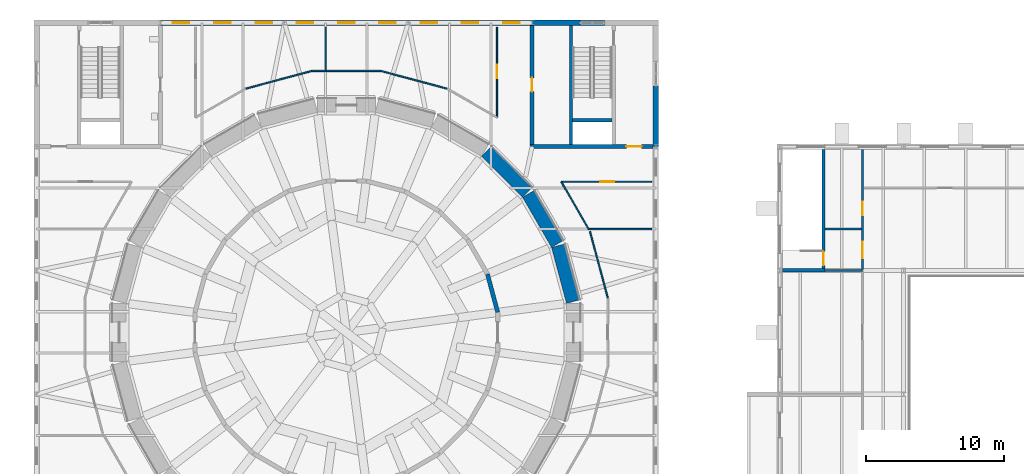
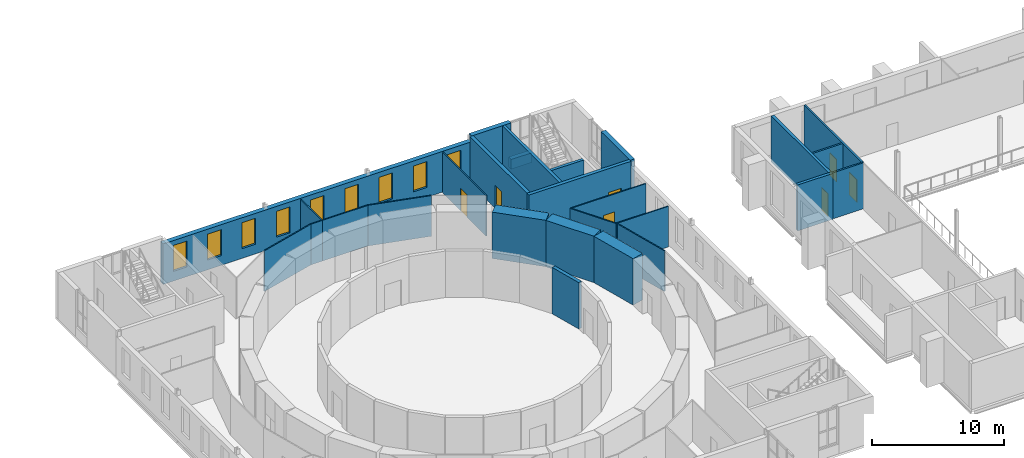
# One storey, part 88 of 131: 27 walls, 9 windows, 7 doors, 16 openings.
"""IFC4 building model written with IfcOpenShell, lengths in metres."""

from ifc_helpers import new_model, si_unit, direction, frame, frame_2d, origin, place, context, subcontext, project, spatial, rectangle, extrude, material, layer, layer_set, type_object, element, fill, save


model = new_model("IFC4")

# Units and contexts
model_context = context("Model", 3, precision=1e-05, world=origin(), true_north=direction((0.0, 1.0)))
body_context = subcontext(model_context, "Body", "Model", "MODEL_VIEW")
ifc_project = project(units=[si_unit("LENGTHUNIT", "METRE"), si_unit("AREAUNIT", "SQUARE_METRE"), si_unit("VOLUMEUNIT", "CUBIC_METRE"), si_unit("PLANEANGLEUNIT", "RADIAN"), si_unit("MASSUNIT", "GRAM", prefix="KILO")], contexts=[model_context])

# Site, building, storey
site_placement = place(None, origin())
site = spatial("IfcSite", under=ifc_project, at=site_placement, CompositionType="ELEMENT")
building_placement = place(site_placement, origin())
building = spatial("IfcBuilding", under=site, at=building_placement, Name="Golden Quay Civic Hall", CompositionType="ELEMENT")
storey_placement = place(building_placement, frame((0.0, 0.0, 9.89990234375)))
storey = spatial("IfcBuildingStorey", under=building, at=storey_placement, Name="L02", CompositionType="ELEMENT", Elevation=9.89990234375)

# Wall, opening, door
ifc_material_1 = material(Name="Concrete C40/50", Category="concrete")
ifc_layer_1 = layer(ifc_material_1, 0.25)
ifc_layer_set_1 = layer_set([ifc_layer_1], Name="Concrete core wall 250, Concrete C40/50")
wall_type_1 = type_object("IfcWallType", Name="Concrete core wall 250", PredefinedType="SHEAR", material=ifc_layer_set_1)
wall_1_placement = place(storey_placement, frame((120.175048828125, 90.125, 0.0), z_axis=(0.0, 0.0, 1.0), x_axis=(0.0, 1.0, 0.0)))
wall_1 = element("IfcWall", 1, at=wall_1_placement, inside=storey, type_object=wall_type_1, Name="L02 core wall N stair east", PredefinedType="SHEAR", context=body_context, shape_type="SweptSolid", body=[
    extrude(rectangle(XDim=8.675048828125, YDim=0.25, at=frame_2d((4.33740234375, 0.0))), origin(), (0.0, 0.0, 1.0), 4.25),
])
opening_1_placement = place(wall_1_placement, frame((0.25, 0.0, 0.0)))
opening_1 = element("IfcOpeningElement", 2, at=opening_1_placement, cuts=wall_1, Name="Opening L02-D214", PredefinedType="OPENING", context=body_context, shape_type="SweptSolid", body=[
    extrude(rectangle(XDim=1.0, YDim=2.10009765625, at=frame_2d((0.5, 1.050048828125))), frame((0.0, 0.135009765625, 0.0), z_axis=(0.0, -1.0, 0.0), x_axis=(1.0, 0.0, 0.0)), (0.0, 0.0, 1.0), 0.27001953125),
])
ifc_material_2 = material(Name="Steel", Category="steel")
door_type_1 = type_object("IfcDoorType", Name="Steel fire door FD60 1000 x 2100", OperationType="SINGLE_SWING_LEFT", PredefinedType="DOOR", material=ifc_material_2)
door_1_placement = place(opening_1_placement, frame((1.0, 0.0, 0.0), z_axis=(0.0, 0.0, 1.0), x_axis=(-1.0, 0.0, 0.0)))
door_1 = element("IfcDoor", 3, at=door_1_placement, inside=storey, type_object=door_type_1, Name="Stair door LB-N", OperationType="SINGLE_SWING_RIGHT", OverallHeight=2.10009765625, OverallWidth=1.0, PredefinedType="DOOR", context=body_context, shape_type="SweptSolid", body=[
    extrude(rectangle(XDim=1.0, YDim=2.10009765625, at=frame_2d((0.5, 1.050048828125))), frame((0.0, 0.025146484375, 0.0), z_axis=(0.0, -1.0, 0.0), x_axis=(1.0, 0.0, 0.0)), (0.0, 0.0, 1.0), 0.050048828125),
])
fill(opening_1, door_1)

# Walls
wall_2_placement = place(storey_placement, frame((117.199951171875, 90.0, 0.0), z_axis=(0.0, 0.0, 1.0), x_axis=(1.0, 0.0, 0.0)))
element("IfcWall", 4, at=wall_2_placement, inside=storey, type_object=wall_type_1, Name="L02 core wall N stair south", PredefinedType="SHEAR", context=body_context, shape_type="SweptSolid", body=[
    extrude(rectangle(XDim=3.10009765625, YDim=0.25, at=frame_2d((1.550048828125, 0.0))), origin(), (0.0, 0.0, 1.0), 4.25),
])
ifc_material_3 = material(Name="Plasterboard on steel studs", Category="steel")
ifc_layer_2 = layer(ifc_material_3, 0.10009765625)
ifc_layer_set_2 = layer_set([ifc_layer_2], Name="Partition 100 stud")
wall_type_2 = type_object("IfcWallType", Name="Partition 100 stud", PredefinedType="PARTITIONING", material=ifc_layer_set_2)
wall_3_placement = place(storey_placement, frame((84.0, 104.5, 0.0), z_axis=(0.0, 0.0, 1.0), x_axis=(0.0, 1.0, 0.0)))
element("IfcWall", 5, at=wall_3_placement, inside=storey, type_object=wall_type_2, Name="Partition 19", PredefinedType="PARTITIONING", context=body_context, shape_type="SweptSolid", body=[
    extrude(rectangle(XDim=3.179931640625, YDim=0.10009765625, at=frame_2d((1.58984375, 0.0))), origin(), (0.0, 0.0, 1.0), 3.760009765625),
])
wall_4_placement = place(storey_placement, frame((107.679931640625, 93.0, 0.0), z_axis=(0.0, 0.0, 1.0), x_axis=(-1.0, 0.0, 0.0)))
element("IfcWall", 6, at=wall_4_placement, inside=storey, type_object=wall_type_2, Name="Partition 31", PredefinedType="PARTITIONING", context=body_context, shape_type="SweptSolid", body=[
    extrude(rectangle(XDim=4.57080078125, YDim=0.10009765625, at=frame_2d((2.285400390625, 0.0))), origin(), (0.0, 0.0, 1.0), 3.760009765625),
])
ifc_material_4 = material(Name="Gypsum board on steel stud", Category="steel")
ifc_layer_3 = layer(ifc_material_4, 0.10009765625)
ifc_layer_set_3 = layer_set([ifc_layer_3], Name="Partition 100 stud fire EI 60")
wall_type_3 = type_object("IfcWallType", Name="Partition 100 stud fire EI 60", PredefinedType="PARTITIONING", material=ifc_layer_set_3)
wall_5_placement = place(storey_placement, frame((78.166259765625, 103.205078125, 0.0), z_axis=(0.0, 0.0, 1.0), x_axis=(0.965919949972, 0.258840974822, 0.0)))
element("IfcWall", 7, at=wall_5_placement, inside=storey, type_object=wall_type_3, Name="Partition 22", PredefinedType="PARTITIONING", context=body_context, shape_type="SweptSolid", body=[
    extrude(rectangle(XDim=5.002685546875, YDim=0.10009765625, at=frame_2d((2.50146484375, 0.0))), origin(), (0.0, 0.0, 1.0), 3.760009765625),
])
wall_6_placement = place(storey_placement, frame((82.99853515625, 104.5, 0.0), z_axis=(0.0, 0.0, 1.0), x_axis=(1.0, 0.0, 0.0)))
element("IfcWall", 8, at=wall_6_placement, inside=storey, type_object=wall_type_3, Name="Partition 23", PredefinedType="PARTITIONING", context=body_context, shape_type="SweptSolid", body=[
    extrude(rectangle(XDim=1.021484375, YDim=0.10009765625, at=frame_2d((0.5107421875, 0.0))), origin(), (0.0, 0.0, 1.0), 3.760009765625),
])
wall_7_placement = place(storey_placement, frame((83.97998046875, 104.5, 0.0), z_axis=(0.0, 0.0, 1.0), x_axis=(1.0, 0.0, 0.0)))
element("IfcWall", 9, at=wall_7_placement, inside=storey, type_object=wall_type_3, Name="Partition 24", PredefinedType="PARTITIONING", context=body_context, shape_type="SweptSolid", body=[
    extrude(rectangle(XDim=4.021484375, YDim=0.10009765625, at=frame_2d((2.0107421875, 0.0))), origin(), (0.0, 0.0, 1.0), 3.760009765625),
])
wall_8_placement = place(storey_placement, frame((88.00146484375, 104.5, 0.0), z_axis=(0.0, 0.0, 1.0), x_axis=(0.965919949972, -0.258840974822, 0.0)))
element("IfcWall", 10, at=wall_8_placement, inside=storey, type_object=wall_type_3, Name="Partition 25", PredefinedType="PARTITIONING", context=body_context, shape_type="SweptSolid", body=[
    extrude(rectangle(XDim=5.002685546875, YDim=0.10009765625, at=frame_2d((2.50146484375, 0.0))), origin(), (0.0, 0.0, 1.0), 3.760009765625),
])

# Wall, opening, door
wall_9_placement = place(storey_placement, frame((96.449951171875, 101.1171875, 0.0), z_axis=(0.0, 0.0, 1.0), x_axis=(0.0, 1.0, 0.0)))
wall_9 = element("IfcWall", 11, at=wall_9_placement, inside=storey, type_object=wall_type_3, Name="Partition 27", PredefinedType="PARTITIONING", context=body_context, shape_type="SweptSolid", body=[
    extrude(rectangle(XDim=6.562744140625, YDim=0.10009765625, at=frame_2d((3.28125, 0.0))), origin(), (0.0, 0.0, 1.0), 3.760009765625),
])
opening_2_placement = place(wall_9_placement, frame((2.84130859375, 0.0, 0.0)))
opening_2 = element("IfcOpeningElement", 12, at=opening_2_placement, cuts=wall_9, Name="Opening L02-D188", PredefinedType="OPENING", context=body_context, shape_type="SweptSolid", body=[
    extrude(rectangle(XDim=1.0, YDim=2.10009765625, at=frame_2d((0.5, 1.050048828125))), frame((0.0, 0.06005859375, 0.0), z_axis=(0.0, -1.0, 0.0), x_axis=(1.0, 0.0, 0.0)), (0.0, 0.0, 1.0), 0.1201171875),
])
ifc_material_5 = material(Name="Timber", Category="wood")
door_type_2 = type_object("IfcDoorType", Name="Timber fire door FD30S 1000 x 2100", OperationType="SINGLE_SWING_LEFT", PredefinedType="DOOR", material=ifc_material_5)
door_2_placement = place(opening_2_placement, origin())
door_2 = element("IfcDoor", 13, at=door_2_placement, inside=storey, type_object=door_type_2, Name="Door Chamber Committee Room 3", OperationType="SINGLE_SWING_LEFT", OverallHeight=2.10009765625, OverallWidth=1.0, PredefinedType="DOOR", context=body_context, shape_type="SweptSolid", body=[
    extrude(rectangle(XDim=1.0, YDim=2.10009765625, at=frame_2d((0.5, 1.050048828125))), frame((0.0, 0.02490234375, 0.0), z_axis=(0.0, -1.0, 0.0), x_axis=(1.0, 0.0, 0.0)), (0.0, 0.0, 1.0), 0.050048828125),
])
fill(opening_2, door_2)

# Wall
wall_10_placement = place(storey_placement, frame((103.205078125, 92.833740234375, 0.0), z_axis=(0.0, 0.0, 1.0), x_axis=(0.258840974822, -0.965919949972, 0.0)))
element("IfcWall", 14, at=wall_10_placement, inside=storey, type_object=wall_type_3, Name="Partition 32", PredefinedType="PARTITIONING", context=body_context, shape_type="SweptSolid", body=[
    extrude(rectangle(XDim=5.002685546875, YDim=0.10009765625, at=frame_2d((2.50146484375, 0.0))), origin(), (0.0, 0.0, 1.0), 3.760009765625),
])

# Wall, opening, door
wall_11_placement = place(storey_placement, frame((107.679931640625, 96.449951171875, 0.0), z_axis=(0.0, 0.0, 1.0), x_axis=(-1.0, 0.0, 0.0)))
wall_11 = element("IfcWall", 15, at=wall_11_placement, inside=storey, type_object=wall_type_3, Name="Partition 35", PredefinedType="PARTITIONING", context=body_context, shape_type="SweptSolid", body=[
    extrude(rectangle(XDim=6.562744140625, YDim=0.10009765625, at=frame_2d((3.28125, 0.0))), origin(), (0.0, 0.0, 1.0), 3.760009765625),
])
opening_3_placement = place(wall_11_placement, frame((2.72119140625, 0.0, 0.0)))
opening_3 = element("IfcOpeningElement", 16, at=opening_3_placement, cuts=wall_11, Name="Opening L02-D191", PredefinedType="OPENING", context=body_context, shape_type="SweptSolid", body=[
    extrude(rectangle(XDim=1.0, YDim=2.10009765625, at=frame_2d((0.5, 1.050048828125))), frame((0.0, 0.06005859375, 0.0), z_axis=(0.0, -1.0, 0.0), x_axis=(1.0, 0.0, 0.0)), (0.0, 0.0, 1.0), 0.1201171875),
])
door_3_placement = place(opening_3_placement, origin())
door_3 = element("IfcDoor", 17, at=door_3_placement, inside=storey, type_object=door_type_2, Name="Door Chamber Clerks' Office 6", OperationType="SINGLE_SWING_LEFT", OverallHeight=2.10009765625, OverallWidth=1.0, PredefinedType="DOOR", context=body_context, shape_type="SweptSolid", body=[
    extrude(rectangle(XDim=1.0, YDim=2.10009765625, at=frame_2d((0.5, 1.050048828125))), frame((0.0, 0.02490234375, 0.0), z_axis=(0.0, -1.0, 0.0), x_axis=(1.0, 0.0, 0.0)), (0.0, 0.0, 1.0), 0.050048828125),
])
fill(opening_3, door_3)

# Walls
wall_12_placement = place(storey_placement, frame((101.1171875, 96.449951171875, 0.0), z_axis=(0.0, 0.0, 1.0), x_axis=(0.500005512359, -0.866022221199, 0.0)))
element("IfcWall", 18, at=wall_12_placement, inside=storey, type_object=wall_type_3, Name="Partition 36", PredefinedType="PARTITIONING", context=body_context, shape_type="SweptSolid", body=[
    extrude(rectangle(XDim=4.0068359375, YDim=0.10009765625, at=frame_2d((2.00341796875, 0.0))), origin(), (0.0, 0.0, 1.0), 3.760009765625),
])
ifc_material_6 = material(Name="Plasterboard on steel studs", Category="steel")
ifc_layer_4 = layer(ifc_material_6, 0.14990234375)
ifc_layer_set_4 = layer_set([ifc_layer_4], Name="Partition 150 stud fire EI 60")
wall_type_4 = type_object("IfcWallType", Name="Partition 150 stud fire EI 60", PredefinedType="PARTITIONING", material=ifc_layer_set_4)
wall_13_placement = place(storey_placement, frame((120.300048828125, 90.0, 0.0), z_axis=(0.0, 0.0, 1.0), x_axis=(1.0, 0.0, 0.0)))
element("IfcWall", 19, at=wall_13_placement, inside=storey, type_object=wall_type_4, Name="L02 partition H27-3.30", PredefinedType="PARTITIONING", context=body_context, shape_type="SweptSolid", body=[
    extrude(rectangle(XDim=2.699951171875, YDim=0.14990234375, at=frame_2d((1.35009765625, 0.0))), origin(), (0.0, 0.0, 1.0), 4.25),
])
wall_14_placement = place(storey_placement, frame((120.300048828125, 93.0, 0.0), z_axis=(0.0, 0.0, 1.0), x_axis=(1.0, 0.0, 0.0)))
element("IfcWall", 20, at=wall_14_placement, inside=storey, type_object=wall_type_4, Name="L02 partition H30-3.30", PredefinedType="PARTITIONING", context=body_context, shape_type="SweptSolid", body=[
    extrude(rectangle(XDim=2.625, YDim=0.14990234375, at=frame_2d((1.3125, 0.0))), origin(), (0.0, 0.0, 1.0), 4.25),
])

# Wall, openings, doors
wall_15_placement = place(storey_placement, frame((123.0, 90.074951171875, 0.0), z_axis=(0.0, 0.0, 1.0), x_axis=(0.0, 1.0, 0.0)))
wall_15 = element("IfcWall", 21, at=wall_15_placement, inside=storey, type_object=wall_type_4, Name="L02 partition V6-27.07", PredefinedType="PARTITIONING", context=body_context, shape_type="SweptSolid", body=[
    extrude(rectangle(XDim=8.72509765625, YDim=0.14990234375, at=frame_2d((4.362548828125, 0.0))), origin(), (0.0, 0.0, 1.0), 4.25),
])
opening_4_placement = place(wall_15_placement, frame((0.824951171875, 0.0, 0.0)))
opening_4 = element("IfcOpeningElement", 22, at=opening_4_placement, cuts=wall_15, Name="Opening L02-D199", PredefinedType="OPENING", context=body_context, shape_type="SweptSolid", body=[
    extrude(rectangle(XDim=1.199951171875, YDim=2.10009765625, at=frame_2d((0.60009765625, 1.050048828125))), frame((0.0, 0.0849609375, 0.0), z_axis=(0.0, -1.0, 0.0), x_axis=(1.0, 0.0, 0.0)), (0.0, 0.0, 1.0), 0.169921875),
])
opening_5_placement = place(wall_15_placement, frame((3.925048828125, 0.0, 0.0)))
opening_5 = element("IfcOpeningElement", 23, at=opening_5_placement, cuts=wall_15, Name="Opening L02-D200", PredefinedType="OPENING", context=body_context, shape_type="SweptSolid", body=[
    extrude(rectangle(XDim=1.0, YDim=2.10009765625, at=frame_2d((0.5, 1.050048828125))), frame((0.0, 0.0849609375, 0.0), z_axis=(0.0, -1.0, 0.0), x_axis=(1.0, 0.0, 0.0)), (0.0, 0.0, 1.0), 0.169921875),
])
ifc_material_7 = material(Name="Timber", Category="wood")
door_type_3 = type_object("IfcDoorType", Name="Timber fire door FD60 1000 x 2100", OperationType="SINGLE_SWING_LEFT", PredefinedType="DOOR", material=ifc_material_7)
door_4_placement = place(opening_5_placement, origin())
door_4 = element("IfcDoor", 24, at=door_4_placement, inside=storey, type_object=door_type_3, Name="Archive and Stacks door", OperationType="SINGLE_SWING_LEFT", OverallHeight=2.10009765625, OverallWidth=1.0, PredefinedType="DOOR", context=body_context, shape_type="SweptSolid", body=[
    extrude(rectangle(XDim=1.0, YDim=2.10009765625, at=frame_2d((0.5, 1.050048828125))), frame((0.0, 0.02490234375, 0.0), z_axis=(0.0, -1.0, 0.0), x_axis=(1.0, 0.0, 0.0)), (0.0, 0.0, 1.0), 0.050048828125),
])
fill(opening_5, door_4)
ifc_material_8 = material(Name="Timber", Category="wood")
door_type_4 = type_object("IfcDoorType", Name="Timber fire door FD60 1200 x 2100", OperationType="SINGLE_SWING_LEFT", PredefinedType="DOOR", material=ifc_material_8)
door_5_placement = place(opening_4_placement, frame((1.199951171875, 0.0, 0.0), z_axis=(0.0, 0.0, 1.0), x_axis=(-1.0, 0.0, 0.0)))
door_5 = element("IfcDoor", 25, at=door_5_placement, inside=storey, type_object=door_type_4, Name="Stair Lobby door", OperationType="SINGLE_SWING_RIGHT", OverallHeight=2.10009765625, OverallWidth=1.199951171875, PredefinedType="DOOR", context=body_context, shape_type="SweptSolid", body=[
    extrude(rectangle(XDim=1.199951171875, YDim=2.10009765625, at=frame_2d((0.599853515625, 1.050048828125))), frame((0.0, 0.025146484375, 0.0), z_axis=(0.0, -1.0, 0.0), x_axis=(1.0, 0.0, 0.0)), (0.0, 0.0, 1.0), 0.050048828125),
])
fill(opening_4, door_5)

# Wall
ifc_material_9 = material(Name="Concrete C40/50", Category="concrete")
ifc_layer_5 = layer(ifc_material_9, 0.300048828125)
ifc_layer_set_5 = layer_set([ifc_layer_5], Name="Reinforced concrete chamber wall 300, Concrete C40/50")
wall_type_5 = type_object("IfcWallType", Name="Reinforced concrete chamber wall 300", PredefinedType="SHEAR", material=ifc_layer_set_5)
wall_16_placement = place(storey_placement, frame((96.494873046875, 86.96728515625, 0.0), z_axis=(0.0, 0.0, 1.0), x_axis=(-0.258768834483, 0.965939278785, 0.0)))
element("IfcWall", 26, at=wall_16_placement, inside=storey, type_object=wall_type_5, Name="Chamber wall 1", PredefinedType="SHEAR", context=body_context, shape_type="SweptSolid", body=[
    extrude(rectangle(XDim=2.85693359375, YDim=0.300048828125, at=frame_2d((1.428466796875, 0.0))), origin(), (0.0, 0.0, 1.0), 4.300048828125),
])

# Wall, opening, door
ifc_material_10 = material(Name="Concrete C40/50", Category="concrete")
ifc_layer_6 = layer(ifc_material_10, 0.300048828125)
ifc_layer_set_6 = layer_set([ifc_layer_6], Name="Reinforced concrete core wall 300, Concrete C40/50")
wall_type_6 = type_object("IfcWallType", Name="Reinforced concrete core wall 300", PredefinedType="SHEAR", material=ifc_layer_set_6)
wall_17_placement = place(storey_placement, frame((107.800048828125, 99.0, 0.0), z_axis=(0.0, 0.0, 1.0), x_axis=(-1.0, 0.0, 0.0)))
wall_17 = element("IfcWall", 27, at=wall_17_placement, inside=storey, type_object=wall_type_6, Name="Core wall NE A", PredefinedType="SHEAR", context=body_context, shape_type="SweptSolid", body=[
    extrude(rectangle(XDim=8.949951171875, YDim=0.300048828125, at=frame_2d((4.47509765625, 0.0))), origin(), (0.0, 0.0, 1.0), 4.300048828125),
])
opening_6_placement = place(wall_17_placement, frame((0.85009765625, 0.0, 0.0)))
opening_6 = element("IfcOpeningElement", 28, at=opening_6_placement, cuts=wall_17, Name="Opening L02-D175", PredefinedType="OPENING", context=body_context, shape_type="SweptSolid", body=[
    extrude(rectangle(XDim=1.10009765625, YDim=2.10009765625, at=frame_2d((0.550048828125, 1.050048828125))), frame((0.0, 0.159912109375, 0.0), z_axis=(0.0, -1.0, 0.0), x_axis=(1.0, 0.0, 0.0)), (0.0, 0.0, 1.0), 0.320068359375),
])
ifc_material_11 = material(Name="Steel", Category="steel")
door_type_5 = type_object("IfcDoorType", Name="Steel fire door FD60 1100 x 2100", OperationType="SINGLE_SWING_LEFT", PredefinedType="DOOR", material=ifc_material_11)
door_6_placement = place(opening_6_placement, origin())
door_6 = element("IfcDoor", 29, at=door_6_placement, inside=storey, type_object=door_type_5, Name="Core lobby door NE", OperationType="SINGLE_SWING_LEFT", OverallHeight=2.10009765625, OverallWidth=1.10009765625, PredefinedType="DOOR", context=body_context, shape_type="SweptSolid", body=[
    extrude(rectangle(XDim=1.10009765625, YDim=2.10009765625, at=frame_2d((0.550048828125, 1.050048828125))), frame((0.0, 0.02490234375, 0.0), z_axis=(0.0, -1.0, 0.0), x_axis=(1.0, 0.0, 0.0)), (0.0, 0.0, 1.0), 0.050048828125),
])
fill(opening_6, door_6)

wall_18_placement = place(storey_placement, frame((99.0, 107.800048828125, 0.0), z_axis=(0.0, 0.0, 1.0), x_axis=(0.0, -1.0, 0.0)))
wall_18 = element("IfcWall", 30, at=wall_18_placement, inside=storey, type_object=wall_type_6, Name="Core wall NE B", PredefinedType="SHEAR", context=body_context, shape_type="SweptSolid", body=[
    extrude(rectangle(XDim=8.650146484375, YDim=0.300048828125, at=frame_2d((4.3251953125, 0.0))), origin(), (0.0, 0.0, 1.0), 4.300048828125),
])
opening_7_placement = place(wall_18_placement, frame((3.800048828125, 0.0, 0.0)))
opening_7 = element("IfcOpeningElement", 31, at=opening_7_placement, cuts=wall_18, Name="Opening L02-D176", PredefinedType="OPENING", context=body_context, shape_type="SweptSolid", body=[
    extrude(rectangle(XDim=1.0, YDim=2.10009765625, at=frame_2d((0.5, 1.050048828125))), frame((0.0, 0.159912109375, 0.0), z_axis=(0.0, -1.0, 0.0), x_axis=(1.0, 0.0, 0.0)), (0.0, 0.0, 1.0), 0.320068359375),
])
door_7_placement = place(opening_7_placement, origin())
door_7 = element("IfcDoor", 32, at=door_7_placement, inside=storey, type_object=door_type_1, Name="Service door NE", OperationType="SINGLE_SWING_LEFT", OverallHeight=2.10009765625, OverallWidth=1.0, PredefinedType="DOOR", context=body_context, shape_type="SweptSolid", body=[
    extrude(rectangle(XDim=1.0, YDim=2.10009765625, at=frame_2d((0.5, 1.050048828125))), frame((0.0, 0.02490234375, 0.0), z_axis=(0.0, -1.0, 0.0), x_axis=(1.0, 0.0, 0.0)), (0.0, 0.0, 1.0), 0.050048828125),
])
fill(opening_7, door_7)

# Walls
ifc_material_12 = material(Name="Concrete C40/50", Category="concrete")
ifc_layer_7 = layer(ifc_material_12, 1.0)
ifc_layer_set_7 = layer_set([ifc_layer_7], Name="Reinforced concrete drum wall 1000, Concrete C40/50")
wall_type_7 = type_object("IfcWallType", Name="Reinforced concrete drum wall 1000", PredefinedType="SHEAR", material=ifc_layer_set_7)
for number, where, z_axis, x_axis, name in (
    (33, (101.98291015625, 87.73583984375, 0.0), (0.0, 0.0, 1.0), (-0.258809467323, 0.965928392597, 0.0), "Council drum wall 1"),
    (34, (100.842529296875, 91.92578125, 0.0), (0.0, 0.0, 1.0), (-0.500003371769, 0.866023457084, 0.0), "Council drum wall 2"),
    (35, (98.65673828125, 95.677734375, 0.0), (0.0, 0.0, 1.0), (-0.707106781187, 0.707106781187, 0.0), "Council drum wall 3"),
):
    element("IfcWall", number, at=place(storey_placement, frame(where, z_axis=z_axis, x_axis=x_axis)), inside=storey, type_object=wall_type_7, Name=name, PredefinedType="SHEAR", context=body_context, shape_type="SweptSolid", body=[
        extrude(rectangle(XDim=4.212890625, YDim=1.0, at=frame_2d((2.1064453125, 0.0))), origin(), (0.0, 0.0, 1.0), 4.300048828125),
    ])
ifc_material_13 = material(Name="Concrete C40/50", Category="concrete")
ifc_layer_8 = layer(ifc_material_13, 0.25)
ifc_layer_set_8 = layer_set([ifc_layer_8], Name="Reinforced concrete shaft wall 250, Concrete C40/50")
wall_type_8 = type_object("IfcWallType", Name="Reinforced concrete shaft wall 250", PredefinedType="SHEAR", material=ifc_layer_set_8)
wall_19_placement = place(storey_placement, frame((101.824951171875, 107.800048828125, 0.0), z_axis=(0.0, 0.0, 1.0), x_axis=(0.0, -1.0, 0.0)))
element("IfcWall", 36, at=wall_19_placement, inside=storey, type_object=wall_type_8, Name="Shaft wall NE 2", PredefinedType="SHEAR", context=body_context, shape_type="SweptSolid", body=[
    extrude(rectangle(XDim=8.650146484375, YDim=0.25, at=frame_2d((4.3251953125, 0.0))), origin(), (0.0, 0.0, 1.0), 4.300048828125),
])
wall_20_placement = place(storey_placement, frame((104.800048828125, 100.925048828125, 0.0), z_axis=(0.0, 0.0, 1.0), x_axis=(-1.0, 0.0, 0.0)))
element("IfcWall", 37, at=wall_20_placement, inside=storey, type_object=wall_type_8, Name="Shaft wall NE 3", PredefinedType="SHEAR", context=body_context, shape_type="SweptSolid", body=[
    extrude(rectangle(XDim=2.85009765625, YDim=0.25, at=frame_2d((1.425048828125, 0.0))), origin(), (0.0, 0.0, 1.0), 4.300048828125),
])

# Wall, openings, windows
ifc_material_14 = material(Name="Brick masonry with render", Category="masonry")
ifc_layer_9 = layer(ifc_material_14, 0.39990234375)
ifc_layer_set_9 = layer_set([ifc_layer_9], Name="Rendered brick external wall 400")
wall_type_9 = type_object("IfcWallType", Name="Rendered brick external wall 400", PredefinedType="STANDARD", material=ifc_layer_set_9)
wall_21_placement = place(storey_placement, frame((72.0, 108.0, 0.0), z_axis=(0.0, 0.0, 1.0), x_axis=(1.0, 0.0, 0.0)))
wall_21 = element("IfcWall", 38, at=wall_21_placement, inside=storey, type_object=wall_type_9, Name="Base wall N 72", PredefinedType="STANDARD", context=body_context, shape_type="SweptSolid", body=[
    extrude(rectangle(XDim=27.0, YDim=0.39990234375, at=frame_2d((13.5, 0.0))), origin(), (0.0, 0.0, 1.0), 3.760009765625),
])
opening_8_placement = place(wall_21_placement, frame((0.89990234375, 0.0, 0.89990234375)))
opening_8 = element("IfcOpeningElement", 39, at=opening_8_placement, cuts=wall_21, Name="Opening WN7", PredefinedType="OPENING", context=body_context, shape_type="SweptSolid", body=[
    extrude(rectangle(XDim=1.199951171875, YDim=2.39990234375, at=frame_2d((0.60009765625, 1.199951171875))), frame((0.0, 0.2099609375, 0.0), z_axis=(0.0, -1.0, 0.0), x_axis=(1.0, 0.0, 0.0)), (0.0, 0.0, 1.0), 0.419921875),
])
opening_9_placement = place(wall_21_placement, frame((3.89990234375, 0.0, 0.89990234375)))
opening_9 = element("IfcOpeningElement", 40, at=opening_9_placement, cuts=wall_21, Name="Opening WN7", PredefinedType="OPENING", context=body_context, shape_type="SweptSolid", body=[
    extrude(rectangle(XDim=1.199951171875, YDim=2.39990234375, at=frame_2d((0.60009765625, 1.199951171875))), frame((0.0, 0.2099609375, 0.0), z_axis=(0.0, -1.0, 0.0), x_axis=(1.0, 0.0, 0.0)), (0.0, 0.0, 1.0), 0.419921875),
])
opening_10_placement = place(wall_21_placement, frame((6.89990234375, 0.0, 0.89990234375)))
opening_10 = element("IfcOpeningElement", 41, at=opening_10_placement, cuts=wall_21, Name="Opening WN7", PredefinedType="OPENING", context=body_context, shape_type="SweptSolid", body=[
    extrude(rectangle(XDim=1.199951171875, YDim=2.39990234375, at=frame_2d((0.60009765625, 1.199951171875))), frame((0.0, 0.2099609375, 0.0), z_axis=(0.0, -1.0, 0.0), x_axis=(1.0, 0.0, 0.0)), (0.0, 0.0, 1.0), 0.419921875),
])
opening_11_placement = place(wall_21_placement, frame((9.89990234375, 0.0, 0.89990234375)))
opening_11 = element("IfcOpeningElement", 42, at=opening_11_placement, cuts=wall_21, Name="Opening WN7", PredefinedType="OPENING", context=body_context, shape_type="SweptSolid", body=[
    extrude(rectangle(XDim=1.199951171875, YDim=2.39990234375, at=frame_2d((0.60009765625, 1.199951171875))), frame((0.0, 0.2099609375, 0.0), z_axis=(0.0, -1.0, 0.0), x_axis=(1.0, 0.0, 0.0)), (0.0, 0.0, 1.0), 0.419921875),
])
opening_12_placement = place(wall_21_placement, frame((12.89990234375, 0.0, 0.89990234375)))
opening_12 = element("IfcOpeningElement", 43, at=opening_12_placement, cuts=wall_21, Name="Opening WN7", PredefinedType="OPENING", context=body_context, shape_type="SweptSolid", body=[
    extrude(rectangle(XDim=1.199951171875, YDim=2.39990234375, at=frame_2d((0.60009765625, 1.199951171875))), frame((0.0, 0.2099609375, 0.0), z_axis=(0.0, -1.0, 0.0), x_axis=(1.0, 0.0, 0.0)), (0.0, 0.0, 1.0), 0.419921875),
])
opening_13_placement = place(wall_21_placement, frame((15.89990234375, 0.0, 0.89990234375)))
opening_13 = element("IfcOpeningElement", 44, at=opening_13_placement, cuts=wall_21, Name="Opening WN7", PredefinedType="OPENING", context=body_context, shape_type="SweptSolid", body=[
    extrude(rectangle(XDim=1.199951171875, YDim=2.39990234375, at=frame_2d((0.60009765625, 1.199951171875))), frame((0.0, 0.2099609375, 0.0), z_axis=(0.0, -1.0, 0.0), x_axis=(1.0, 0.0, 0.0)), (0.0, 0.0, 1.0), 0.419921875),
])
opening_14_placement = place(wall_21_placement, frame((18.89990234375, 0.0, 0.89990234375)))
opening_14 = element("IfcOpeningElement", 45, at=opening_14_placement, cuts=wall_21, Name="Opening WN7", PredefinedType="OPENING", context=body_context, shape_type="SweptSolid", body=[
    extrude(rectangle(XDim=1.199951171875, YDim=2.39990234375, at=frame_2d((0.60009765625, 1.199951171875))), frame((0.0, 0.2099609375, 0.0), z_axis=(0.0, -1.0, 0.0), x_axis=(1.0, 0.0, 0.0)), (0.0, 0.0, 1.0), 0.419921875),
])
opening_15_placement = place(wall_21_placement, frame((21.89990234375, 0.0, 0.89990234375)))
opening_15 = element("IfcOpeningElement", 46, at=opening_15_placement, cuts=wall_21, Name="Opening WN7", PredefinedType="OPENING", context=body_context, shape_type="SweptSolid", body=[
    extrude(rectangle(XDim=1.199951171875, YDim=2.39990234375, at=frame_2d((0.60009765625, 1.199951171875))), frame((0.0, 0.2099609375, 0.0), z_axis=(0.0, -1.0, 0.0), x_axis=(1.0, 0.0, 0.0)), (0.0, 0.0, 1.0), 0.419921875),
])
opening_16_placement = place(wall_21_placement, frame((24.89990234375, 0.0, 0.89990234375)))
opening_16 = element("IfcOpeningElement", 47, at=opening_16_placement, cuts=wall_21, Name="Opening WN7", PredefinedType="OPENING", context=body_context, shape_type="SweptSolid", body=[
    extrude(rectangle(XDim=1.199951171875, YDim=2.39990234375, at=frame_2d((0.60009765625, 1.199951171875))), frame((0.0, 0.2099609375, 0.0), z_axis=(0.0, -1.0, 0.0), x_axis=(1.0, 0.0, 0.0)), (0.0, 0.0, 1.0), 0.419921875),
])
ifc_material_15 = material(Name="Aluminium frame, double glazed", Category="aluminium")
window_type = type_object("IfcWindowType", Name="Window 1200 x 2400", PartitioningType="SINGLE_PANEL", PredefinedType="WINDOW", material=ifc_material_15)
window_1_placement = place(opening_8_placement, origin())
window_1 = element("IfcWindow", 48, at=window_1_placement, inside=storey, type_object=window_type, Name="Window N1", OverallHeight=2.39990234375, OverallWidth=1.199951171875, PartitioningType="SINGLE_PANEL", PredefinedType="WINDOW", context=body_context, shape_type="SweptSolid", body=[
    extrude(rectangle(XDim=1.199951171875, YDim=2.39990234375, at=frame_2d((0.60009765625, 1.199951171875))), frame((0.0, 0.030029296875, 0.0), z_axis=(0.0, -1.0, 0.0), x_axis=(1.0, 0.0, 0.0)), (0.0, 0.0, 1.0), 0.06005859375),
])
fill(opening_8, window_1)
window_2_placement = place(opening_9_placement, origin())
window_2 = element("IfcWindow", 49, at=window_2_placement, inside=storey, type_object=window_type, Name="Window N2", OverallHeight=2.39990234375, OverallWidth=1.199951171875, PartitioningType="SINGLE_PANEL", PredefinedType="WINDOW", context=body_context, shape_type="SweptSolid", body=[
    extrude(rectangle(XDim=1.199951171875, YDim=2.39990234375, at=frame_2d((0.60009765625, 1.199951171875))), frame((0.0, 0.030029296875, 0.0), z_axis=(0.0, -1.0, 0.0), x_axis=(1.0, 0.0, 0.0)), (0.0, 0.0, 1.0), 0.06005859375),
])
fill(opening_9, window_2)
window_3_placement = place(opening_10_placement, origin())
window_3 = element("IfcWindow", 50, at=window_3_placement, inside=storey, type_object=window_type, Name="Window N3", OverallHeight=2.39990234375, OverallWidth=1.199951171875, PartitioningType="SINGLE_PANEL", PredefinedType="WINDOW", context=body_context, shape_type="SweptSolid", body=[
    extrude(rectangle(XDim=1.199951171875, YDim=2.39990234375, at=frame_2d((0.60009765625, 1.199951171875))), frame((0.0, 0.030029296875, 0.0), z_axis=(0.0, -1.0, 0.0), x_axis=(1.0, 0.0, 0.0)), (0.0, 0.0, 1.0), 0.06005859375),
])
fill(opening_10, window_3)
window_4_placement = place(opening_11_placement, origin())
window_4 = element("IfcWindow", 51, at=window_4_placement, inside=storey, type_object=window_type, Name="Window N4", OverallHeight=2.39990234375, OverallWidth=1.199951171875, PartitioningType="SINGLE_PANEL", PredefinedType="WINDOW", context=body_context, shape_type="SweptSolid", body=[
    extrude(rectangle(XDim=1.199951171875, YDim=2.39990234375, at=frame_2d((0.60009765625, 1.199951171875))), frame((0.0, 0.030029296875, 0.0), z_axis=(0.0, -1.0, 0.0), x_axis=(1.0, 0.0, 0.0)), (0.0, 0.0, 1.0), 0.06005859375),
])
fill(opening_11, window_4)
window_5_placement = place(opening_12_placement, origin())
window_5 = element("IfcWindow", 52, at=window_5_placement, inside=storey, type_object=window_type, Name="Window N5", OverallHeight=2.39990234375, OverallWidth=1.199951171875, PartitioningType="SINGLE_PANEL", PredefinedType="WINDOW", context=body_context, shape_type="SweptSolid", body=[
    extrude(rectangle(XDim=1.199951171875, YDim=2.39990234375, at=frame_2d((0.60009765625, 1.199951171875))), frame((0.0, 0.030029296875, 0.0), z_axis=(0.0, -1.0, 0.0), x_axis=(1.0, 0.0, 0.0)), (0.0, 0.0, 1.0), 0.06005859375),
])
fill(opening_12, window_5)
window_6_placement = place(opening_13_placement, origin())
window_6 = element("IfcWindow", 53, at=window_6_placement, inside=storey, type_object=window_type, Name="Window N6", OverallHeight=2.39990234375, OverallWidth=1.199951171875, PartitioningType="SINGLE_PANEL", PredefinedType="WINDOW", context=body_context, shape_type="SweptSolid", body=[
    extrude(rectangle(XDim=1.199951171875, YDim=2.39990234375, at=frame_2d((0.60009765625, 1.199951171875))), frame((0.0, 0.030029296875, 0.0), z_axis=(0.0, -1.0, 0.0), x_axis=(1.0, 0.0, 0.0)), (0.0, 0.0, 1.0), 0.06005859375),
])
fill(opening_13, window_6)
window_7_placement = place(opening_14_placement, origin())
window_7 = element("IfcWindow", 54, at=window_7_placement, inside=storey, type_object=window_type, Name="Window N7", OverallHeight=2.39990234375, OverallWidth=1.199951171875, PartitioningType="SINGLE_PANEL", PredefinedType="WINDOW", context=body_context, shape_type="SweptSolid", body=[
    extrude(rectangle(XDim=1.199951171875, YDim=2.39990234375, at=frame_2d((0.60009765625, 1.199951171875))), frame((0.0, 0.030029296875, 0.0), z_axis=(0.0, -1.0, 0.0), x_axis=(1.0, 0.0, 0.0)), (0.0, 0.0, 1.0), 0.06005859375),
])
fill(opening_14, window_7)
window_8_placement = place(opening_15_placement, origin())
window_8 = element("IfcWindow", 55, at=window_8_placement, inside=storey, type_object=window_type, Name="Window N8", OverallHeight=2.39990234375, OverallWidth=1.199951171875, PartitioningType="SINGLE_PANEL", PredefinedType="WINDOW", context=body_context, shape_type="SweptSolid", body=[
    extrude(rectangle(XDim=1.199951171875, YDim=2.39990234375, at=frame_2d((0.60009765625, 1.199951171875))), frame((0.0, 0.030029296875, 0.0), z_axis=(0.0, -1.0, 0.0), x_axis=(1.0, 0.0, 0.0)), (0.0, 0.0, 1.0), 0.06005859375),
])
fill(opening_15, window_8)
window_9_placement = place(opening_16_placement, origin())
window_9 = element("IfcWindow", 56, at=window_9_placement, inside=storey, type_object=window_type, Name="Window N9", OverallHeight=2.39990234375, OverallWidth=1.199951171875, PartitioningType="SINGLE_PANEL", PredefinedType="WINDOW", context=body_context, shape_type="SweptSolid", body=[
    extrude(rectangle(XDim=1.199951171875, YDim=2.39990234375, at=frame_2d((0.60009765625, 1.199951171875))), frame((0.0, 0.030029296875, 0.0), z_axis=(0.0, -1.0, 0.0), x_axis=(1.0, 0.0, 0.0)), (0.0, 0.0, 1.0), 0.06005859375),
])
fill(opening_16, window_9)

# Walls
ifc_material_16 = material(Name="Brick masonry with render", Category="masonry")
ifc_layer_10 = layer(ifc_material_16, 0.39990234375)
ifc_layer_set_10 = layer_set([ifc_layer_10], Name="Rendered brick external wall 400 fire EI 120")
wall_type_10 = type_object("IfcWallType", Name="Rendered brick external wall 400 fire EI 120", PredefinedType="STANDARD", material=ifc_layer_set_10)
wall_22_placement = place(storey_placement, frame((99.0, 108.0, 0.0), z_axis=(0.0, 0.0, 1.0), x_axis=(1.0, 0.0, 0.0)))
element("IfcWall", 57, at=wall_22_placement, inside=storey, type_object=wall_type_10, Name="Base wall N 99", PredefinedType="STANDARD", context=body_context, shape_type="SweptSolid", body=[
    extrude(rectangle(XDim=3.47509765625, YDim=0.39990234375, at=frame_2d((1.737548828125, 0.0))), origin(), (0.0, 0.0, 1.0), 4.300048828125),
])
wall_23_placement = place(storey_placement, frame((102.47509765625, 108.0, 0.0), z_axis=(0.0, 0.0, 1.0), x_axis=(1.0, 0.0, 0.0)))
element("IfcWall", 58, at=wall_23_placement, inside=storey, type_object=wall_type_10, Name="Base wall N 99 sill", PredefinedType="STANDARD", context=body_context, shape_type="SweptSolid", body=[
    extrude(rectangle(XDim=1.7998046875, YDim=0.39990234375, at=frame_2d((0.89990234375, 0.0))), origin(), (0.0, 0.0, 1.0), 0.900146484375),
])
wall_24_placement = place(storey_placement, frame((108.0, 99.0, 0.0), z_axis=(0.0, 0.0, 1.0), x_axis=(0.0, 1.0, 0.0)))
element("IfcWall", 59, at=wall_24_placement, inside=storey, type_object=wall_type_10, Name="Base wall E 99", PredefinedType="STANDARD", context=body_context, shape_type="SweptSolid", body=[
    extrude(rectangle(XDim=4.39990234375, YDim=0.39990234375, at=frame_2d((2.199951171875, 0.0))), origin(), (0.0, 0.0, 1.0), 4.300048828125),
])

save(model, "model.ifc")
